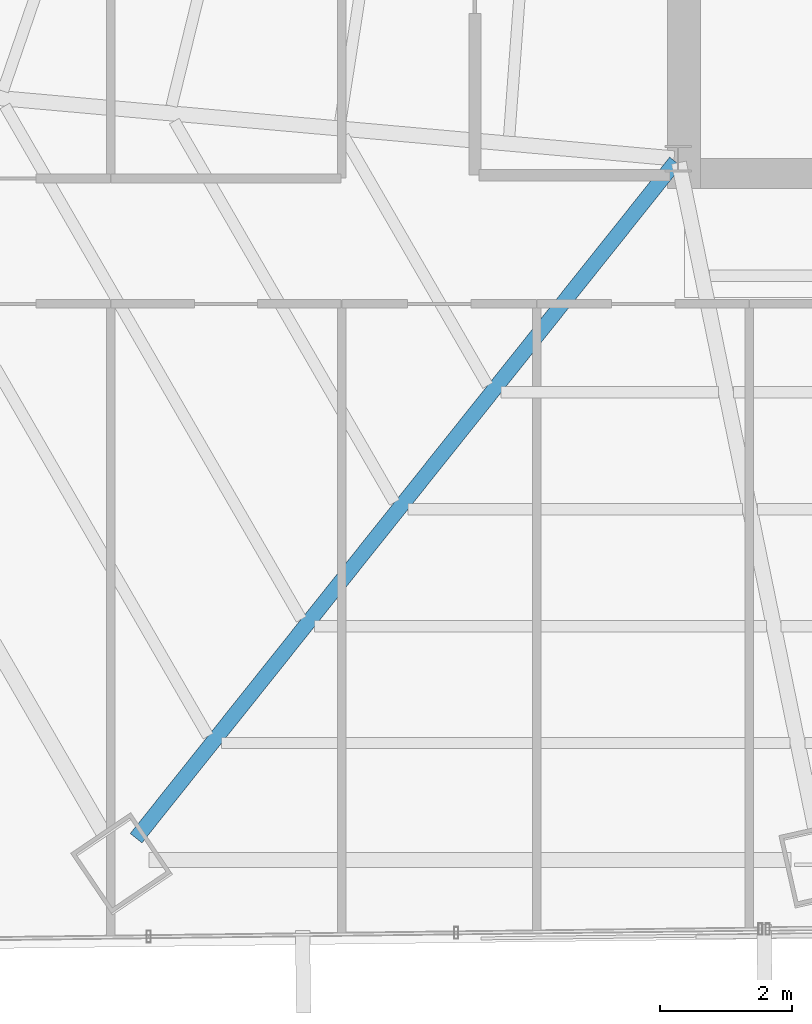
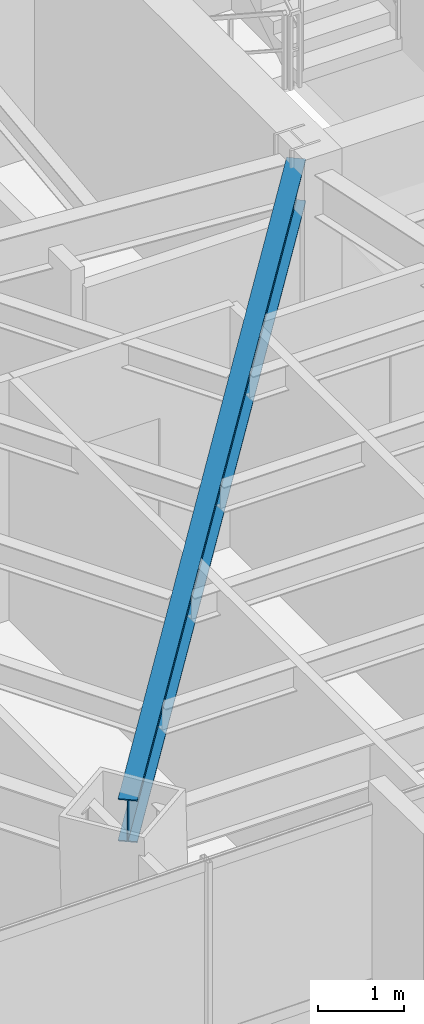
# One storey, part 4 of 35: 1 beam.
"""IFC4 building model written with IfcOpenShell, lengths in metres."""

from ifc_helpers import new_model, si_unit, direction, frame, origin, origin_2d, place, context, subcontext, project, spatial, i_section, extrude, source, transform, mapped, material, material_profile, profile_set, type_object, type_shapes, element, save


model = new_model("IFC4")

# Units and contexts
model_context = context("Model", 3, precision=1e-05, world=origin(), true_north=direction((0.0, 1.0)))
body_context = subcontext(model_context, "Body", "Model", "MODEL_VIEW")
ifc_project = project(units=[si_unit("LENGTHUNIT", "METRE"), si_unit("AREAUNIT", "SQUARE_METRE"), si_unit("VOLUMEUNIT", "CUBIC_METRE"), si_unit("PLANEANGLEUNIT", "RADIAN"), si_unit("MASSUNIT", "GRAM", prefix="KILO")], contexts=[model_context])

# Site, building, storey
site_placement = place(None, origin())
site = spatial("IfcSite", under=ifc_project, at=site_placement, CompositionType="ELEMENT")
building_placement = place(site_placement, origin())
building = spatial("IfcBuilding", under=site, at=building_placement, Name="Caelisora Broadcast Tower", CompositionType="ELEMENT")
storey_placement = place(building_placement, frame((0.0, 0.0, 123.64990234375)))
storey = spatial("IfcBuildingStorey", under=building, at=storey_placement, Name="L32", CompositionType="ELEMENT", Elevation=123.64990234375)

# Beam
ifc_material = material(Name="Steel Grade 350 (AS/NZS 3679.1)", Category="steel")
ifc_material_profile = material_profile(ifc_material, i_section(OverallWidth=0.22802734375, OverallDepth=0.602294921875, WebThickness=0.010498046875, FlangeThickness=0.014892578125, at=origin_2d()), Name="Steel Grade 350 (AS/NZS 3679.1)")
ifc_profile_set = profile_set([ifc_material_profile], Name="Steel Grade 350 (AS/NZS 3679.1)")
beam_type = type_object("IfcBeamType", Name="PG04", PredefinedType="BEAM", material=ifc_profile_set)
shared_shape = source(origin(), body_context, "Body", "SweptSolid", [
    extrude(i_section(OverallWidth=0.22802734375, OverallDepth=0.602294921875, WebThickness=0.010498046875, FlangeThickness=0.014892578125, at=origin_2d()), origin(), (0.0, 0.0, 1.0), 13.111328125),
])
type_shapes(beam_type, [shared_shape])
beam_placement = place(storey_placement, frame((30.462646484375, 17.35302734375, 3.098876953125), z_axis=(-0.623568075923, -0.781769054574, 0.0), x_axis=(0.781769054574, -0.623568075923, 0.0)))
element("IfcBeam", 1, at=beam_placement, inside=storey, type_object=beam_type, Name="L32 beam PG04", PredefinedType="BEAM", context=body_context, shape_type="MappedRepresentation", body=[
    mapped(shared_shape, transform((0.0, 0.0, 0.0), scale=1.0)),
])

save(model, "model.ifc")
